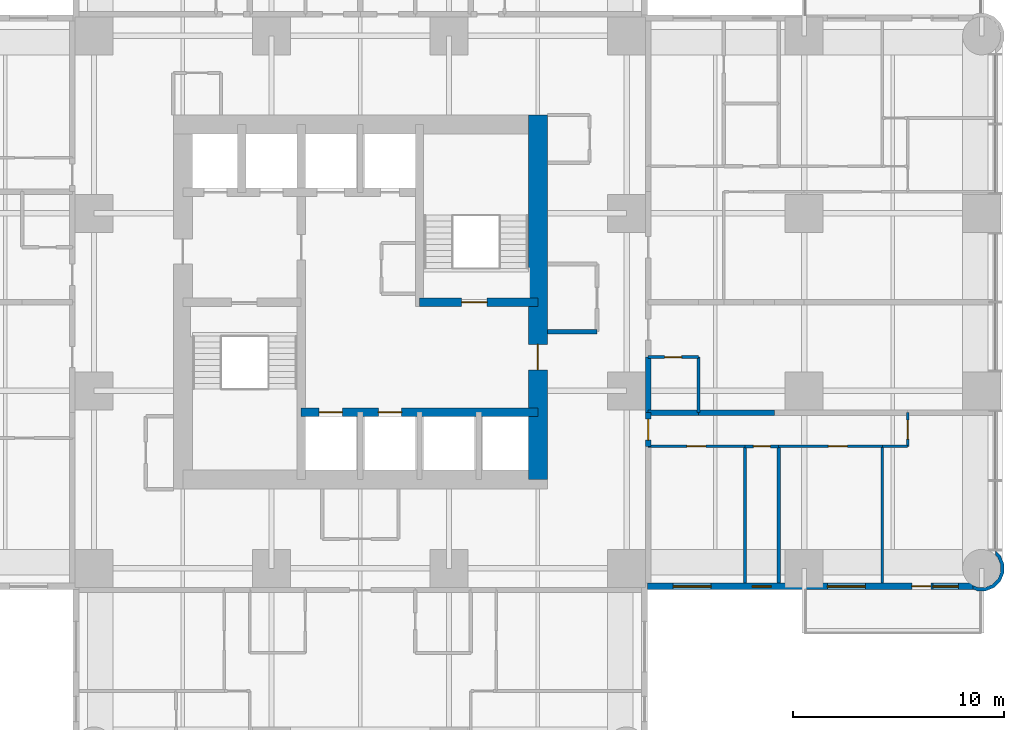
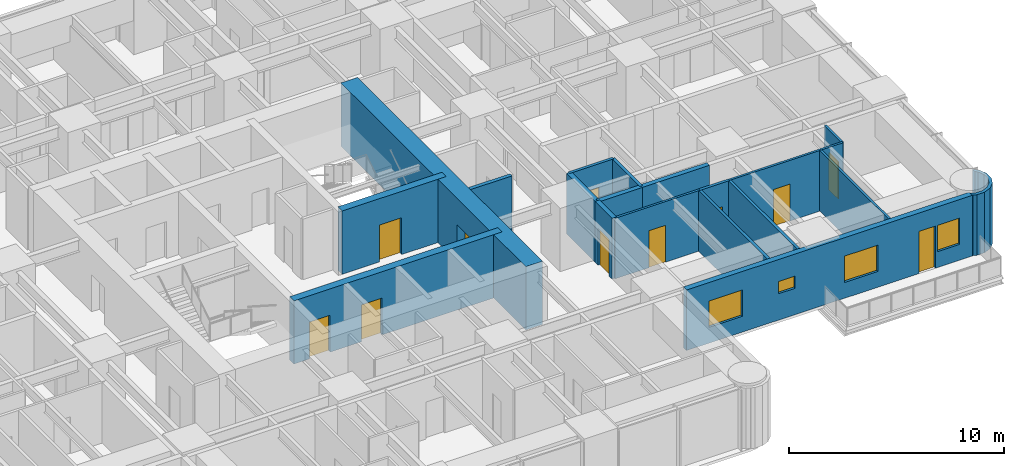
# One storey, part 9 of 14: 20 walls, 11 doors, 4 windows, 15 openings.
"""IFC4 building model written with IfcOpenShell, lengths in metres."""

from ifc_helpers import new_model, si_unit, direction, frame, frame_2d, origin, place, context, subcontext, project, spatial, polyline, rectangle, outline, extrude, material, layer, layer_set, type_object, element, fill, save


model = new_model("IFC4")

# Units and contexts
model_context = context("Model", 3, precision=1e-05, world=origin(), true_north=direction((0.0, 1.0)))
body_context = subcontext(model_context, "Body", "Model", "MODEL_VIEW")
ifc_project = project(units=[si_unit("LENGTHUNIT", "METRE"), si_unit("AREAUNIT", "SQUARE_METRE"), si_unit("VOLUMEUNIT", "CUBIC_METRE"), si_unit("PLANEANGLEUNIT", "RADIAN"), si_unit("MASSUNIT", "GRAM", prefix="KILO")], contexts=[model_context])

# Site, building, storey
site_placement = place(None, origin())
site = spatial("IfcSite", under=ifc_project, at=site_placement, CompositionType="ELEMENT")
building_placement = place(site_placement, origin())
building = spatial("IfcBuilding", under=site, at=building_placement, Name="Torre Alcanfor", CompositionType="ELEMENT")
storey_placement = place(building_placement, frame((0.0, 0.0, 170.10009765625)))
storey = spatial("IfcBuildingStorey", under=building, at=storey_placement, Name="L44", CompositionType="ELEMENT", Elevation=170.10009765625)

# Wall
ifc_material_1 = material(Name="Concrete block masonry, hollow blocks NMX-C-404 9 MPa", Category="masonry")
ifc_layer_1 = layer(ifc_material_1, 0.25)
ifc_layer_set_1 = layer_set([ifc_layer_1], Name="Apartment entrance wall 250 EI 60")
wall_type_1 = type_object("IfcWallType", Name="Apartment entrance wall 250 EI 60", PredefinedType="PARTITIONING", material=ifc_layer_set_1)
wall_1_placement = place(storey_placement, frame((43.02490234375, 26.800048828125, 0.0), z_axis=(0.0, 0.0, 1.0), x_axis=(0.0, -1.0, 0.0)))
element("IfcWall", 1, at=wall_1_placement, inside=storey, type_object=wall_type_1, Name="Partition L44-CORR / L44-E2A-BATH", PredefinedType="PARTITIONING", context=body_context, shape_type="SweptSolid", body=[
    extrude(rectangle(XDim=2.629150390625, YDim=0.25, at=frame_2d((1.314453125, 0.0))), origin(), (0.0, 0.0, 1.0), 3.449951171875),
])

# Wall, opening, door
wall_2_placement = place(storey_placement, frame((43.02490234375, 24.1708984375, 0.0), z_axis=(0.0, 0.0, 1.0), x_axis=(0.0, -1.0, 0.0)))
wall_2 = element("IfcWall", 2, at=wall_2_placement, inside=storey, type_object=wall_type_1, Name="Partition L44-CORR / L44-E2B-HALL", PredefinedType="PARTITIONING", context=body_context, shape_type="SweptSolid", body=[
    extrude(rectangle(XDim=1.599853515625, YDim=0.25, at=frame_2d((0.7998046875, 0.0))), origin(), (0.0, 0.0, 1.0), 3.449951171875),
])
opening_1_placement = place(wall_2_placement, frame((0.300048828125, 0.0, 0.0)))
opening_1 = element("IfcOpeningElement", 3, at=opening_1_placement, cuts=wall_2, Name="Opening D-A1", PredefinedType="OPENING", context=body_context, shape_type="SweptSolid", body=[
    extrude(rectangle(XDim=1.0, YDim=2.10009765625, at=frame_2d((0.5, 1.050048828125))), frame((0.0, 0.135009765625, 0.0), z_axis=(0.0, -1.0, 0.0), x_axis=(1.0, 0.0, 0.0)), (0.0, 0.0, 1.0), 0.27001953125),
])
ifc_material_2 = material(Name="Galvanised steel sheet ASTM A653", Category="steel")
door_type_1 = type_object("IfcDoorType", Name="Apartment entrance door FD60 1000x2100", OperationType="SINGLE_SWING_LEFT", PredefinedType="DOOR", material=ifc_material_2)
door_1_placement = place(opening_1_placement, origin())
door_1 = element("IfcDoor", 4, at=door_1_placement, inside=storey, type_object=door_type_1, Name="Apartment entrance L44-E2B", OperationType="SINGLE_SWING_LEFT", OverallHeight=2.10009765625, OverallWidth=1.0, PredefinedType="DOOR", context=body_context, shape_type="SweptSolid", body=[
    extrude(rectangle(XDim=1.0, YDim=2.10009765625, at=frame_2d((0.5, 1.050048828125))), frame((0.0, 0.02490234375, 0.0), z_axis=(0.0, -1.0, 0.0), x_axis=(1.0, 0.0, 0.0)), (0.0, 0.0, 1.0), 0.050048828125),
])
fill(opening_1, door_1)

ifc_material_3 = material(Name="Gypsum board on steel studs", Category="steel")
ifc_layer_2 = layer(ifc_material_3, 0.1201171875)
ifc_layer_set_2 = layer_set([ifc_layer_2], Name="Apartment partition 120")
wall_type_2 = type_object("IfcWallType", Name="Apartment partition 120", PredefinedType="PARTITIONING", material=ifc_layer_set_2)
wall_3_placement = place(storey_placement, frame((47.60009765625, 22.571044921875, 0.0), z_axis=(0.0, 0.0, 1.0), x_axis=(-1.0, 0.0, 0.0)))
wall_3 = element("IfcWall", 5, at=wall_3_placement, inside=storey, type_object=wall_type_2, Name="Partition L44-E2B-HALL / L44-E2B-BED2", PredefinedType="PARTITIONING", context=body_context, shape_type="SweptSolid", body=[
    extrude(rectangle(XDim=4.5751953125, YDim=0.1201171875, at=frame_2d((2.28759765625, 0.0))), origin(), (0.0, 0.0, 1.0), 3.449951171875),
])
opening_2_placement = place(wall_3_placement, frame((1.85009765625, 0.0, 0.0)))
opening_2 = element("IfcOpeningElement", 6, at=opening_2_placement, cuts=wall_3, Name="Opening D-R1", PredefinedType="OPENING", context=body_context, shape_type="SweptSolid", body=[
    extrude(rectangle(XDim=0.89990234375, YDim=2.10009765625, at=frame_2d((0.449951171875, 1.050048828125))), frame((0.0, 0.070068359375, 0.0), z_axis=(0.0, -1.0, 0.0), x_axis=(1.0, 0.0, 0.0)), (0.0, 0.0, 1.0), 0.14013671875),
])
ifc_material_4 = material(Name="Timber", Category="wood")
door_type_2 = type_object("IfcDoorType", Name="Internal door 900x2100", OperationType="SINGLE_SWING_LEFT", PredefinedType="DOOR", material=ifc_material_4)
door_2_placement = place(opening_2_placement, origin())
door_2 = element("IfcDoor", 7, at=door_2_placement, inside=storey, type_object=door_type_2, Name="Door L44-E2B bed2", OperationType="SINGLE_SWING_RIGHT", OverallHeight=2.10009765625, OverallWidth=0.89990234375, PredefinedType="DOOR", context=body_context, shape_type="SweptSolid", body=[
    extrude(rectangle(XDim=0.89990234375, YDim=2.10009765625, at=frame_2d((0.449951171875, 1.050048828125))), frame((0.0, 0.02490234375, 0.0), z_axis=(0.0, -1.0, 0.0), x_axis=(1.0, 0.0, 0.0)), (0.0, 0.0, 1.0), 0.050048828125),
])
fill(opening_2, door_2)

wall_4_placement = place(storey_placement, frame((54.10009765625, 22.571044921875, 0.0), z_axis=(0.0, 0.0, 1.0), x_axis=(-1.0, 0.0, 0.0)))
wall_4 = element("IfcWall", 8, at=wall_4_placement, inside=storey, type_object=wall_type_2, Name="Partition L44-E2B-HALL / L44-E2B-MASTER", PredefinedType="PARTITIONING", context=body_context, shape_type="SweptSolid", body=[
    extrude(rectangle(XDim=4.900146484375, YDim=0.1201171875, at=frame_2d((2.4501953125, 0.0))), origin(), (0.0, 0.0, 1.0), 3.449951171875),
])
opening_3_placement = place(wall_4_placement, frame((1.64990234375, 0.0, 0.0)))
opening_3 = element("IfcOpeningElement", 9, at=opening_3_placement, cuts=wall_4, Name="Opening D-R1", PredefinedType="OPENING", context=body_context, shape_type="SweptSolid", body=[
    extrude(rectangle(XDim=0.89990234375, YDim=2.10009765625, at=frame_2d((0.449951171875, 1.050048828125))), frame((0.0, 0.070068359375, 0.0), z_axis=(0.0, -1.0, 0.0), x_axis=(1.0, 0.0, 0.0)), (0.0, 0.0, 1.0), 0.14013671875),
])
door_3_placement = place(opening_3_placement, origin())
door_3 = element("IfcDoor", 10, at=door_3_placement, inside=storey, type_object=door_type_2, Name="Door L44-E2B master", OperationType="SINGLE_SWING_LEFT", OverallHeight=2.10009765625, OverallWidth=0.89990234375, PredefinedType="DOOR", context=body_context, shape_type="SweptSolid", body=[
    extrude(rectangle(XDim=0.89990234375, YDim=2.10009765625, at=frame_2d((0.449951171875, 1.050048828125))), frame((0.0, 0.02490234375, 0.0), z_axis=(0.0, -1.0, 0.0), x_axis=(1.0, 0.0, 0.0)), (0.0, 0.0, 1.0), 0.050048828125),
])
fill(opening_3, door_3)

# Wall
wall_5_placement = place(storey_placement, frame((55.300048828125, 22.571044921875, 0.0), z_axis=(0.0, 0.0, 1.0), x_axis=(-1.0, 0.0, 0.0)))
element("IfcWall", 11, at=wall_5_placement, inside=storey, type_object=wall_type_2, Name="Partition L44-E2B-HALL / L44-E2B-KITCHEN", PredefinedType="PARTITIONING", context=body_context, shape_type="SweptSolid", body=[
    extrude(rectangle(XDim=1.199951171875, YDim=0.1201171875, at=frame_2d((0.60009765625, 0.0))), origin(), (0.0, 0.0, 1.0), 3.449951171875),
])

# Wall, opening, door
wall_6_placement = place(storey_placement, frame((55.300048828125, 24.1708984375, 0.0), z_axis=(0.0, 0.0, 1.0), x_axis=(0.0, -1.0, 0.0)))
wall_6 = element("IfcWall", 12, at=wall_6_placement, inside=storey, type_object=wall_type_2, Name="Partition L44-E2B-HALL / L44-E2B-LIVING", PredefinedType="PARTITIONING", context=body_context, shape_type="SweptSolid", body=[
    extrude(rectangle(XDim=1.599853515625, YDim=0.1201171875, at=frame_2d((0.7998046875, 0.0))), origin(), (0.0, 0.0, 1.0), 3.449951171875),
])
opening_4_placement = place(wall_6_placement, frame((0.35009765625, 0.0, 0.0)))
opening_4 = element("IfcOpeningElement", 13, at=opening_4_placement, cuts=wall_6, Name="Opening D-R1", PredefinedType="OPENING", context=body_context, shape_type="SweptSolid", body=[
    extrude(rectangle(XDim=0.89990234375, YDim=2.10009765625, at=frame_2d((0.449951171875, 1.050048828125))), frame((0.0, 0.070068359375, 0.0), z_axis=(0.0, -1.0, 0.0), x_axis=(1.0, 0.0, 0.0)), (0.0, 0.0, 1.0), 0.14013671875),
])
door_4_placement = place(opening_4_placement, origin())
door_4 = element("IfcDoor", 14, at=door_4_placement, inside=storey, type_object=door_type_2, Name="Door L44-E2B living", OperationType="SINGLE_SWING_LEFT", OverallHeight=2.10009765625, OverallWidth=0.89990234375, PredefinedType="DOOR", context=body_context, shape_type="SweptSolid", body=[
    extrude(rectangle(XDim=0.89990234375, YDim=2.10009765625, at=frame_2d((0.449951171875, 1.050048828125))), frame((0.0, 0.02490234375, 0.0), z_axis=(0.0, -1.0, 0.0), x_axis=(1.0, 0.0, 0.0)), (0.0, 0.0, 1.0), 0.050048828125),
])
fill(opening_4, door_4)

# Wall
wall_7_placement = place(storey_placement, frame((54.10009765625, 22.571044921875, 0.0), z_axis=(0.0, 0.0, 1.0), x_axis=(0.0, -1.0, 0.0)))
element("IfcWall", 15, at=wall_7_placement, inside=storey, type_object=wall_type_2, Name="Partition L44-E2B-MASTER / L44-E2B-KITCHEN", PredefinedType="PARTITIONING", context=body_context, shape_type="SweptSolid", body=[
    extrude(rectangle(XDim=6.470947265625, YDim=0.1201171875, at=frame_2d((3.2353515625, 0.0))), origin(), (0.0, 0.0, 1.0), 3.449951171875),
])

# Wall, openings, doors
ifc_material_5 = material(Name="Concrete f'c 70 MPa", Category="concrete")
ifc_layer_3 = layer(ifc_material_5, 0.39990234375)
ifc_layer_set_3 = layer_set([ifc_layer_3], Name="Core inner wall 400 f'c70")
wall_type_3 = type_object("IfcWallType", Name="Core inner wall 400 f'c70", PredefinedType="SHEAR", material=ifc_layer_set_3)
wall_8_placement = place(storey_placement, frame((26.60009765625, 24.199951171875, 0.0), z_axis=(0.0, 0.0, 1.0), x_axis=(1.0, 0.0, 0.0)))
wall_8 = element("IfcWall", 16, at=wall_8_placement, inside=storey, type_object=wall_type_3, Name="Core wall Y242 L44", PredefinedType="SHEAR", context=body_context, shape_type="SweptSolid", body=[
    extrude(rectangle(XDim=11.199951171875, YDim=0.39990234375, at=frame_2d((5.60009765625, 0.0))), origin(), (0.0, 0.0, 1.0), 3.599853515625),
])
opening_5_placement = place(wall_8_placement, frame((0.85009765625, 0.0, 0.0)))
opening_5 = element("IfcOpeningElement", 17, at=opening_5_placement, cuts=wall_8, Name="Opening LD1", PredefinedType="OPENING", context=body_context, shape_type="SweptSolid", body=[
    extrude(rectangle(XDim=1.10009765625, YDim=2.10009765625, at=frame_2d((0.550048828125, 1.050048828125))), frame((0.0, 0.2099609375, 0.0), z_axis=(0.0, -1.0, 0.0), x_axis=(1.0, 0.0, 0.0)), (0.0, 0.0, 1.0), 0.419921875),
])
opening_6_placement = place(wall_8_placement, frame((3.64990234375, 0.0, 0.0)))
opening_6 = element("IfcOpeningElement", 18, at=opening_6_placement, cuts=wall_8, Name="Opening LD1", PredefinedType="OPENING", context=body_context, shape_type="SweptSolid", body=[
    extrude(rectangle(XDim=1.10009765625, YDim=2.10009765625, at=frame_2d((0.550048828125, 1.050048828125))), frame((0.0, 0.2099609375, 0.0), z_axis=(0.0, -1.0, 0.0), x_axis=(1.0, 0.0, 0.0)), (0.0, 0.0, 1.0), 0.419921875),
])
ifc_material_6 = material(Name="Galvanised steel sheet ASTM A653", Category="steel")
door_type_3 = type_object("IfcDoorType", Name="Lift landing door 1100x2100", OperationType="DOUBLE_DOOR_SLIDING", PredefinedType="DOOR", material=ifc_material_6)
door_5_placement = place(opening_5_placement, origin())
door_5 = element("IfcDoor", 19, at=door_5_placement, inside=storey, type_object=door_type_3, Name="Lift landing door PA1 L44", OperationType="DOUBLE_DOOR_SLIDING", OverallHeight=2.10009765625, OverallWidth=1.10009765625, PredefinedType="DOOR", context=body_context, shape_type="SweptSolid", body=[
    extrude(rectangle(XDim=1.10009765625, YDim=2.10009765625, at=frame_2d((0.550048828125, 1.050048828125))), frame((0.0, 0.02490234375, 0.0), z_axis=(0.0, -1.0, 0.0), x_axis=(1.0, 0.0, 0.0)), (0.0, 0.0, 1.0), 0.050048828125),
])
fill(opening_5, door_5)
door_6_placement = place(opening_6_placement, origin())
door_6 = element("IfcDoor", 20, at=door_6_placement, inside=storey, type_object=door_type_3, Name="Lift landing door PA2 L44", OperationType="DOUBLE_DOOR_SLIDING", OverallHeight=2.10009765625, OverallWidth=1.10009765625, PredefinedType="DOOR", context=body_context, shape_type="SweptSolid", body=[
    extrude(rectangle(XDim=1.10009765625, YDim=2.10009765625, at=frame_2d((0.550048828125, 1.050048828125))), frame((0.0, 0.02490234375, 0.0), z_axis=(0.0, -1.0, 0.0), x_axis=(1.0, 0.0, 0.0)), (0.0, 0.0, 1.0), 0.050048828125),
])
fill(opening_6, door_6)

# Wall, opening, door
wall_9_placement = place(storey_placement, frame((32.199951171875, 29.39990234375, 0.0), z_axis=(0.0, 0.0, 1.0), x_axis=(1.0, 0.0, 0.0)))
wall_9 = element("IfcWall", 21, at=wall_9_placement, inside=storey, type_object=wall_type_3, Name="Core wall Y294E L44", PredefinedType="SHEAR", context=body_context, shape_type="SweptSolid", body=[
    extrude(rectangle(XDim=5.60009765625, YDim=0.39990234375, at=frame_2d((2.800048828125, 0.0))), origin(), (0.0, 0.0, 1.0), 3.599853515625),
])
opening_7_placement = place(wall_9_placement, frame((2.0, 0.0, 0.0)))
opening_7 = element("IfcOpeningElement", 22, at=opening_7_placement, cuts=wall_9, Name="Opening D-S2", PredefinedType="OPENING", context=body_context, shape_type="SweptSolid", body=[
    extrude(rectangle(XDim=1.199951171875, YDim=2.10009765625, at=frame_2d((0.60009765625, 1.050048828125))), frame((0.0, 0.2099609375, 0.0), z_axis=(0.0, -1.0, 0.0), x_axis=(1.0, 0.0, 0.0)), (0.0, 0.0, 1.0), 0.419921875),
])
ifc_material_7 = material(Name="Galvanised steel sheet ASTM A653", Category="steel")
door_type_4 = type_object("IfcDoorType", Name="Stair enclosure door FD120 1200x2100", OperationType="SINGLE_SWING_LEFT", PredefinedType="DOOR", material=ifc_material_7)
door_7_placement = place(opening_7_placement, origin())
door_7 = element("IfcDoor", 23, at=door_7_placement, inside=storey, type_object=door_type_4, Name="Stair S2 door L44", OperationType="SINGLE_SWING_LEFT", OverallHeight=2.10009765625, OverallWidth=1.199951171875, PredefinedType="DOOR", context=body_context, shape_type="SweptSolid", body=[
    extrude(rectangle(XDim=1.199951171875, YDim=2.10009765625, at=frame_2d((0.60009765625, 1.050048828125))), frame((0.0, 0.02490234375, 0.0), z_axis=(0.0, -1.0, 0.0), x_axis=(1.0, 0.0, 0.0)), (0.0, 0.0, 1.0), 0.050048828125),
])
fill(opening_7, door_7)

ifc_material_8 = material(Name="Concrete f'c 70 MPa", Category="concrete")
ifc_layer_4 = layer(ifc_material_8, 0.89990234375)
ifc_layer_set_4 = layer_set([ifc_layer_4], Name="Core wall 900 f'c70")
wall_type_4 = type_object("IfcWallType", Name="Core wall 900 f'c70", PredefinedType="SHEAR", material=ifc_layer_set_4)
wall_10_placement = place(storey_placement, frame((37.800048828125, 21.0, 0.0), z_axis=(0.0, 0.0, 1.0), x_axis=(0.0, 1.0, 0.0)))
wall_10 = element("IfcWall", 24, at=wall_10_placement, inside=storey, type_object=wall_type_4, Name="Core wall OUT-E L44", PredefinedType="SHEAR", context=body_context, shape_type="SweptSolid", body=[
    extrude(rectangle(XDim=17.25, YDim=0.89990234375, at=frame_2d((8.625, 0.0))), origin(), (0.0, 0.0, 1.0), 3.599853515625),
])
opening_8_placement = place(wall_10_placement, frame((5.199951171875, 0.0, 0.0)))
opening_8 = element("IfcOpeningElement", 25, at=opening_8_placement, cuts=wall_10, Name="Opening D-L1", PredefinedType="OPENING", context=body_context, shape_type="SweptSolid", body=[
    extrude(rectangle(XDim=1.199951171875, YDim=2.10009765625, at=frame_2d((0.60009765625, 1.050048828125))), frame((0.0, 0.4599609375, 0.0), z_axis=(0.0, -1.0, 0.0), x_axis=(1.0, 0.0, 0.0)), (0.0, 0.0, 1.0), 0.919921875),
])
ifc_material_9 = material(Name="Galvanised steel sheet ASTM A653", Category="steel")
door_type_5 = type_object("IfcDoorType", Name="Lobby door FD120 1200x2100", OperationType="SINGLE_SWING_LEFT", PredefinedType="DOOR", material=ifc_material_9)
door_8_placement = place(opening_8_placement, origin())
door_8 = element("IfcDoor", 26, at=door_8_placement, inside=storey, type_object=door_type_5, Name="Lift lobby entrance door L44", OperationType="SINGLE_SWING_LEFT", OverallHeight=2.10009765625, OverallWidth=1.199951171875, PredefinedType="DOOR", context=body_context, shape_type="SweptSolid", body=[
    extrude(rectangle(XDim=1.199951171875, YDim=2.10009765625, at=frame_2d((0.60009765625, 1.050048828125))), frame((0.0, 0.02490234375, 0.0), z_axis=(0.0, -1.0, 0.0), x_axis=(1.0, 0.0, 0.0)), (0.0, 0.0, 1.0), 0.050048828125),
])
fill(opening_8, door_8)

# Wall, openings, door, windows
ifc_material_10 = material(Name="Limestone cladding", Category="masonry")
ifc_layer_5 = layer(ifc_material_10, 0.0400390625, Name="Facing")
ifc_material_11 = material(Name="Ventilated air cavity")
ifc_layer_6 = layer(ifc_material_11, 0.02001953125, ventilated=True, Name="Ventilated joint")
ifc_material_12 = material(Name="Mineral wool insulation", Category="insulation")
ifc_layer_7 = layer(ifc_material_12, 0.10009765625, Name="Insulation")
ifc_material_13 = material(Name="Concrete f'c 35 MPa", Category="concrete")
ifc_layer_8 = layer(ifc_material_13, 0.139892578125, Name="Backing")
ifc_layer_set_5 = layer_set([ifc_layer_5, ifc_layer_6, ifc_layer_7, ifc_layer_8], Name="External wall stone-clad 300")
wall_type_5 = type_object("IfcWallType", Name="External wall stone-clad 300", PredefinedType="SOLIDWALL", material=ifc_layer_set_5)
wall_11_placement = place(storey_placement, frame((43.0, 15.949951171875, 0.0), z_axis=(0.0, 0.0, 1.0), x_axis=(1.0, 0.0, 0.0)))
wall_11 = element("IfcWall", 27, at=wall_11_placement, inside=storey, type_object=wall_type_5, Name="External wall L44 7", PredefinedType="SOLIDWALL", context=body_context, shape_type="SweptSolid", body=[
    extrude(rectangle(XDim=15.39990234375, YDim=0.300048828125, at=frame_2d((7.699951171875, 0.0))), origin(), (0.0, 0.0, 1.0), 3.449951171875),
])
opening_9_placement = place(wall_11_placement, frame((1.199951171875, 0.0, 0.89990234375)))
opening_9 = element("IfcOpeningElement", 28, at=opening_9_placement, cuts=wall_11, Name="Opening W2", PredefinedType="OPENING", context=body_context, shape_type="SweptSolid", body=[
    extrude(rectangle(XDim=1.800048828125, YDim=1.5, at=frame_2d((0.89990234375, 0.75))), frame((0.0, 0.159912109375, 0.0), z_axis=(0.0, -1.0, 0.0), x_axis=(1.0, 0.0, 0.0)), (0.0, 0.0, 1.0), 0.320068359375),
])
opening_10_placement = place(wall_11_placement, frame((4.949951171875, 0.0, 1.5)))
opening_10 = element("IfcOpeningElement", 29, at=opening_10_placement, cuts=wall_11, Name="Opening W3", PredefinedType="OPENING", context=body_context, shape_type="SweptSolid", body=[
    extrude(rectangle(XDim=0.89990234375, YDim=0.699951171875, at=frame_2d((0.449951171875, 0.35009765625))), frame((0.0, 0.159912109375, 0.0), z_axis=(0.0, -1.0, 0.0), x_axis=(1.0, 0.0, 0.0)), (0.0, 0.0, 1.0), 0.320068359375),
])
opening_11_placement = place(wall_11_placement, frame((8.5, 0.0, 0.89990234375)))
opening_11 = element("IfcOpeningElement", 30, at=opening_11_placement, cuts=wall_11, Name="Opening W2", PredefinedType="OPENING", context=body_context, shape_type="SweptSolid", body=[
    extrude(rectangle(XDim=1.800048828125, YDim=1.5, at=frame_2d((0.89990234375, 0.75))), frame((0.0, 0.159912109375, 0.0), z_axis=(0.0, -1.0, 0.0), x_axis=(1.0, 0.0, 0.0)), (0.0, 0.0, 1.0), 0.320068359375),
])
opening_12_placement = place(wall_11_placement, frame((12.5, 0.0, 0.0)))
opening_12 = element("IfcOpeningElement", 31, at=opening_12_placement, cuts=wall_11, Name="Opening D-B1", PredefinedType="OPENING", context=body_context, shape_type="SweptSolid", body=[
    extrude(rectangle(XDim=0.89990234375, YDim=2.39990234375, at=frame_2d((0.449951171875, 1.199951171875))), frame((0.0, 0.159912109375, 0.0), z_axis=(0.0, -1.0, 0.0), x_axis=(1.0, 0.0, 0.0)), (0.0, 0.0, 1.0), 0.320068359375),
])
opening_13_placement = place(wall_11_placement, frame((13.5, 0.0, 0.89990234375)))
opening_13 = element("IfcOpeningElement", 32, at=opening_13_placement, cuts=wall_11, Name="Opening W4", PredefinedType="OPENING", context=body_context, shape_type="SweptSolid", body=[
    extrude(rectangle(XDim=1.199951171875, YDim=1.5, at=frame_2d((0.60009765625, 0.75))), frame((0.0, 0.159912109375, 0.0), z_axis=(0.0, -1.0, 0.0), x_axis=(1.0, 0.0, 0.0)), (0.0, 0.0, 1.0), 0.320068359375),
])
ifc_material_14 = material(Name="Aluminium and glass", Category="aluminium")
door_type_6 = type_object("IfcDoorType", Name="Balcony door glazed 900x2400", OperationType="SINGLE_SWING_LEFT", PredefinedType="DOOR", material=ifc_material_14)
door_9_placement = place(opening_12_placement, origin())
door_9 = element("IfcDoor", 33, at=door_9_placement, inside=storey, type_object=door_type_6, Name="Balcony door L44-E2", OperationType="SINGLE_SWING_LEFT", OverallHeight=2.39990234375, OverallWidth=0.89990234375, PredefinedType="DOOR", context=body_context, shape_type="SweptSolid", body=[
    extrude(rectangle(XDim=0.89990234375, YDim=2.39990234375, at=frame_2d((0.449951171875, 1.199951171875))), frame((0.0, 0.02490234375, 0.0), z_axis=(0.0, -1.0, 0.0), x_axis=(1.0, 0.0, 0.0)), (0.0, 0.0, 1.0), 0.050048828125),
])
fill(opening_12, door_9)
ifc_material_15 = material(Name="Aluminium frame with clear double glazing", Category="aluminium")
window_type_1 = type_object("IfcWindowType", Name="Window bathroom 900x700", PartitioningType="SINGLE_PANEL", PredefinedType="WINDOW", material=ifc_material_15)
window_1_placement = place(opening_10_placement, origin())
window_1 = element("IfcWindow", 34, at=window_1_placement, inside=storey, type_object=window_type_1, Name="Window W3 L44-E2", OverallHeight=0.699951171875, OverallWidth=0.89990234375, PartitioningType="SINGLE_PANEL", PredefinedType="WINDOW", context=body_context, shape_type="SweptSolid", body=[
    extrude(rectangle(XDim=0.89990234375, YDim=0.699951171875, at=frame_2d((0.449951171875, 0.35009765625))), frame((0.0, 0.030029296875, 0.0), z_axis=(0.0, -1.0, 0.0), x_axis=(1.0, 0.0, 0.0)), (0.0, 0.0, 1.0), 0.06005859375),
])
fill(opening_10, window_1)
ifc_material_16 = material(Name="Aluminium frame with clear double glazing", Category="aluminium")
window_type_2 = type_object("IfcWindowType", Name="Window bedroom 1200x1500", PartitioningType="SINGLE_PANEL", PredefinedType="WINDOW", material=ifc_material_16)
window_2_placement = place(opening_13_placement, origin())
window_2 = element("IfcWindow", 35, at=window_2_placement, inside=storey, type_object=window_type_2, Name="Window W4 L44-E2", OverallHeight=1.5, OverallWidth=1.199951171875, PartitioningType="SINGLE_PANEL", PredefinedType="WINDOW", context=body_context, shape_type="SweptSolid", body=[
    extrude(rectangle(XDim=1.199951171875, YDim=1.5, at=frame_2d((0.60009765625, 0.75))), frame((0.0, 0.030029296875, 0.0), z_axis=(0.0, -1.0, 0.0), x_axis=(1.0, 0.0, 0.0)), (0.0, 0.0, 1.0), 0.06005859375),
])
fill(opening_13, window_2)
ifc_material_17 = material(Name="Aluminium frame with clear double glazing", Category="aluminium")
window_type_3 = type_object("IfcWindowType", Name="Window bedroom 1800x1500", PartitioningType="SINGLE_PANEL", PredefinedType="WINDOW", material=ifc_material_17)
window_3_placement = place(opening_9_placement, origin())
window_3 = element("IfcWindow", 36, at=window_3_placement, inside=storey, type_object=window_type_3, Name="Window W2 L44-E2", OverallHeight=1.5, OverallWidth=1.800048828125, PartitioningType="SINGLE_PANEL", PredefinedType="WINDOW", context=body_context, shape_type="SweptSolid", body=[
    extrude(rectangle(XDim=1.800048828125, YDim=1.5, at=frame_2d((0.89990234375, 0.75))), frame((0.0, 0.030029296875, 0.0), z_axis=(0.0, -1.0, 0.0), x_axis=(1.0, 0.0, 0.0)), (0.0, 0.0, 1.0), 0.06005859375),
])
fill(opening_9, window_3)
window_4_placement = place(opening_11_placement, origin())
window_4 = element("IfcWindow", 37, at=window_4_placement, inside=storey, type_object=window_type_3, Name="Window W2 L44-E2", OverallHeight=1.5, OverallWidth=1.800048828125, PartitioningType="SINGLE_PANEL", PredefinedType="WINDOW", context=body_context, shape_type="SweptSolid", body=[
    extrude(rectangle(XDim=1.800048828125, YDim=1.5, at=frame_2d((0.89990234375, 0.75))), frame((0.0, 0.030029296875, 0.0), z_axis=(0.0, -1.0, 0.0), x_axis=(1.0, 0.0, 0.0)), (0.0, 0.0, 1.0), 0.06005859375),
])
fill(opening_11, window_4)

# Walls
ifc_material_18 = material(Name="Concrete block masonry, hollow blocks NMX-C-404 9 MPa", Category="masonry")
ifc_layer_9 = layer(ifc_material_18, 0.25)
ifc_layer_set_6 = layer_set([ifc_layer_9], Name="Party wall 250 EI 60")
wall_type_6 = type_object("IfcWallType", Name="Party wall 250 EI 60", PredefinedType="PARTITIONING", material=ifc_layer_set_6)
wall_12_placement = place(storey_placement, frame((45.39990234375, 24.1708984375, 0.0), z_axis=(0.0, 0.0, 1.0), x_axis=(-1.0, 0.0, 0.0)))
element("IfcWall", 38, at=wall_12_placement, inside=storey, type_object=wall_type_6, Name="Partition L44-E2A-BATH / L44-E2B-HALL", PredefinedType="PARTITIONING", context=body_context, shape_type="SweptSolid", body=[
    extrude(rectangle(XDim=2.375, YDim=0.25, at=frame_2d((1.1875, 0.0))), origin(), (0.0, 0.0, 1.0), 3.449951171875),
])
wall_13_placement = place(storey_placement, frame((49.0, 24.1708984375, 0.0), z_axis=(0.0, 0.0, 1.0), x_axis=(-1.0, 0.0, 0.0)))
element("IfcWall", 39, at=wall_13_placement, inside=storey, type_object=wall_type_6, Name="Partition L44-E2A-KITCHEN / L44-E2B-HALL", PredefinedType="PARTITIONING", context=body_context, shape_type="SweptSolid", body=[
    extrude(rectangle(XDim=3.60009765625, YDim=0.25, at=frame_2d((1.800048828125, 0.0))), origin(), (0.0, 0.0, 1.0), 3.449951171875),
])
ifc_material_19 = material(Name="Concrete block masonry, hollow blocks NMX-C-404 9 MPa", Category="masonry")
ifc_layer_10 = layer(ifc_material_19, 0.199951171875)
ifc_layer_set_7 = layer_set([ifc_layer_10], Name="Plant room wall 200 EI 60")
wall_type_7 = type_object("IfcWallType", Name="Plant room wall 200 EI 60", PredefinedType="PARTITIONING", material=ifc_layer_set_7)
wall_14_placement = place(storey_placement, frame((38.25, 28.0, 0.0), z_axis=(0.0, 0.0, 1.0), x_axis=(1.0, 0.0, 0.0)))
element("IfcWall", 40, at=wall_14_placement, inside=storey, type_object=wall_type_7, Name="Partition L44-CORR / L44-G02", PredefinedType="PARTITIONING", context=body_context, shape_type="SweptSolid", body=[
    extrude(rectangle(XDim=2.35009765625, YDim=0.199951171875, at=frame_2d((1.175048828125, 0.0))), origin(), (0.0, 0.0, 1.0), 3.449951171875),
])
ifc_layer_11 = layer(ifc_material_10, 0.0400390625, Name="Facing")
ifc_layer_12 = layer(ifc_material_11, 0.02001953125, ventilated=True, Name="Ventilated joint")
ifc_layer_13 = layer(ifc_material_12, 0.10009765625, Name="Insulation")
ifc_layer_14 = layer(ifc_material_13, 0.139892578125, Name="Backing")
ifc_layer_set_8 = layer_set([ifc_layer_11, ifc_layer_12, ifc_layer_13, ifc_layer_14], Name="Rounded corner pier stone-clad 300")
wall_type_8 = type_object("IfcWallType", Name="Rounded corner pier stone-clad 300", PredefinedType="SOLIDWALL", material=ifc_layer_set_8)
wall_15_placement = place(storey_placement, frame((58.436037137, 15.890092843, 0.0), z_axis=(0.0, 0.0, 1.0), x_axis=(0.926129809145, -0.377204953059, 0.0)))
element("IfcWall", 41, at=wall_15_placement, inside=storey, type_object=wall_type_8, Name="Corner pier L44 17", PredefinedType="SOLIDWALL", context=body_context, shape_type="SweptSolid", body=[
    extrude(outline(polyline([(0.769166837716128, 1.7276108100514604), (0.7500653632983351, 1.7227306908268178), (0.5995000244675756, 1.8749338844742405), (0.2945752424497483, 2.003546223814982), (0.2810088878235957, 1.9980207606354041), (0.36029928445054193, 1.803343571750114), (0.5086711604613772, 1.740666542271283), (0.7606181499848057, 1.4858220995022824), (0.8958078157784841, 1.153898622982415), (0.8937038530249802, 0.7953177307388815), (0.7545964309992416, 0.4650292826997394), (0.49975198823024103, 0.21308229317631072), (0.16782851171037358, 0.07789262738263233), (-0.0998950178182167, 0.07956887308382314), (0.0004995392280573718, -0.09702266930253471), (0.03004451591433495, -0.08024419760165923), (0.19838601885213236, -0.08127415720020953), (0.5888709261748919, 0.07776709131864781), (0.888863773202199, 0.37420041869354087), (1.0524038230869968, 0.7629450169505976), (1.0552007062717619, 1.1845482211771667), (0.8961594577529046, 1.5750331284999262), (0.777713405588319, 1.694976661367872), (0.769166837716128, 1.7276108100514604)])), origin(), (0.0, 0.0, 1.0), 3.449951171875),
])

# Wall, opening, door
ifc_material_20 = material(Name="Cement board on steel studs", Category="steel")
ifc_layer_15 = layer(ifc_material_20, 0.14990234375)
ifc_layer_set_9 = layer_set([ifc_layer_15], Name="Wet area partition 150")
wall_type_9 = type_object("IfcWallType", Name="Wet area partition 150", PredefinedType="PARTITIONING", material=ifc_layer_set_9)
wall_16_placement = place(storey_placement, frame((45.39990234375, 26.800048828125, 0.0), z_axis=(0.0, 0.0, 1.0), x_axis=(-1.0, 0.0, 0.0)))
wall_16 = element("IfcWall", 42, at=wall_16_placement, inside=storey, type_object=wall_type_9, Name="Partition L44-E2A-FOYER / L44-E2A-BATH", PredefinedType="PARTITIONING", context=body_context, shape_type="SweptSolid", body=[
    extrude(rectangle(XDim=2.375, YDim=0.14990234375, at=frame_2d((1.1875, 0.0))), origin(), (0.0, 0.0, 1.0), 3.449951171875),
])
opening_14_placement = place(wall_16_placement, frame((0.800048828125, 0.0, 0.0)))
opening_14 = element("IfcOpeningElement", 43, at=opening_14_placement, cuts=wall_16, Name="Opening D-R2", PredefinedType="OPENING", context=body_context, shape_type="SweptSolid", body=[
    extrude(rectangle(XDim=0.800048828125, YDim=2.10009765625, at=frame_2d((0.39990234375, 1.050048828125))), frame((0.0, 0.0849609375, 0.0), z_axis=(0.0, -1.0, 0.0), x_axis=(1.0, 0.0, 0.0)), (0.0, 0.0, 1.0), 0.169921875),
])
ifc_material_21 = material(Name="Timber", Category="wood")
door_type_7 = type_object("IfcDoorType", Name="Bathroom door 800x2100", OperationType="SINGLE_SWING_LEFT", PredefinedType="DOOR", material=ifc_material_21)
door_10_placement = place(opening_14_placement, origin())
door_10 = element("IfcDoor", 44, at=door_10_placement, inside=storey, type_object=door_type_7, Name="Door L44-E2A bath", OperationType="SINGLE_SWING_RIGHT", OverallHeight=2.10009765625, OverallWidth=0.800048828125, PredefinedType="DOOR", context=body_context, shape_type="SweptSolid", body=[
    extrude(rectangle(XDim=0.800048828125, YDim=2.10009765625, at=frame_2d((0.39990234375, 1.050048828125))), frame((0.0, 0.02490234375, 0.0), z_axis=(0.0, -1.0, 0.0), x_axis=(1.0, 0.0, 0.0)), (0.0, 0.0, 1.0), 0.050048828125),
])
fill(opening_14, door_10)

# Wall
wall_17_placement = place(storey_placement, frame((45.39990234375, 26.800048828125, 0.0), z_axis=(0.0, 0.0, 1.0), x_axis=(0.0, -1.0, 0.0)))
element("IfcWall", 45, at=wall_17_placement, inside=storey, type_object=wall_type_9, Name="Partition L44-E2A-BATH / L44-E2A-KITCHEN", PredefinedType="PARTITIONING", context=body_context, shape_type="SweptSolid", body=[
    extrude(rectangle(XDim=2.629150390625, YDim=0.14990234375, at=frame_2d((1.314453125, 0.0))), origin(), (0.0, 0.0, 1.0), 3.449951171875),
])

# Wall, opening, door
wall_18_placement = place(storey_placement, frame((49.199951171875, 22.571044921875, 0.0), z_axis=(0.0, 0.0, 1.0), x_axis=(-1.0, 0.0, 0.0)))
wall_18 = element("IfcWall", 46, at=wall_18_placement, inside=storey, type_object=wall_type_9, Name="Partition L44-E2B-HALL / L44-E2B-BATH", PredefinedType="PARTITIONING", context=body_context, shape_type="SweptSolid", body=[
    extrude(rectangle(XDim=1.599853515625, YDim=0.14990234375, at=frame_2d((0.7998046875, 0.0))), origin(), (0.0, 0.0, 1.0), 3.449951171875),
])
opening_15_placement = place(wall_18_placement, frame((0.39990234375, 0.0, 0.0)))
opening_15 = element("IfcOpeningElement", 47, at=opening_15_placement, cuts=wall_18, Name="Opening D-R2", PredefinedType="OPENING", context=body_context, shape_type="SweptSolid", body=[
    extrude(rectangle(XDim=0.800048828125, YDim=2.10009765625, at=frame_2d((0.39990234375, 1.050048828125))), frame((0.0, 0.0849609375, 0.0), z_axis=(0.0, -1.0, 0.0), x_axis=(1.0, 0.0, 0.0)), (0.0, 0.0, 1.0), 0.169921875),
])
door_11_placement = place(opening_15_placement, origin())
door_11 = element("IfcDoor", 48, at=door_11_placement, inside=storey, type_object=door_type_7, Name="Door L44-E2B bath", OperationType="SINGLE_SWING_LEFT", OverallHeight=2.10009765625, OverallWidth=0.800048828125, PredefinedType="DOOR", context=body_context, shape_type="SweptSolid", body=[
    extrude(rectangle(XDim=0.800048828125, YDim=2.10009765625, at=frame_2d((0.39990234375, 1.050048828125))), frame((0.0, 0.02490234375, 0.0), z_axis=(0.0, -1.0, 0.0), x_axis=(1.0, 0.0, 0.0)), (0.0, 0.0, 1.0), 0.050048828125),
])
fill(opening_15, door_11)

# Walls
for number, where, z_axis, x_axis, name in (
    (49, (47.60009765625, 22.571044921875, 0.0), (0.0, 0.0, 1.0), (0.0, -1.0, 0.0), "Partition L44-E2B-BED2 / L44-E2B-BATH"),
    (50, (49.199951171875, 22.571044921875, 0.0), (0.0, 0.0, 1.0), (0.0, -1.0, 0.0), "Partition L44-E2B-BATH / L44-E2B-MASTER"),
):
    element("IfcWall", number, at=place(storey_placement, frame(where, z_axis=z_axis, x_axis=x_axis)), inside=storey, type_object=wall_type_9, Name=name, PredefinedType="PARTITIONING", context=body_context, shape_type="SweptSolid", body=[
        extrude(rectangle(XDim=6.470947265625, YDim=0.14990234375, at=frame_2d((3.2353515625, 0.0))), origin(), (0.0, 0.0, 1.0), 3.449951171875),
    ])

save(model, "model.ifc")
